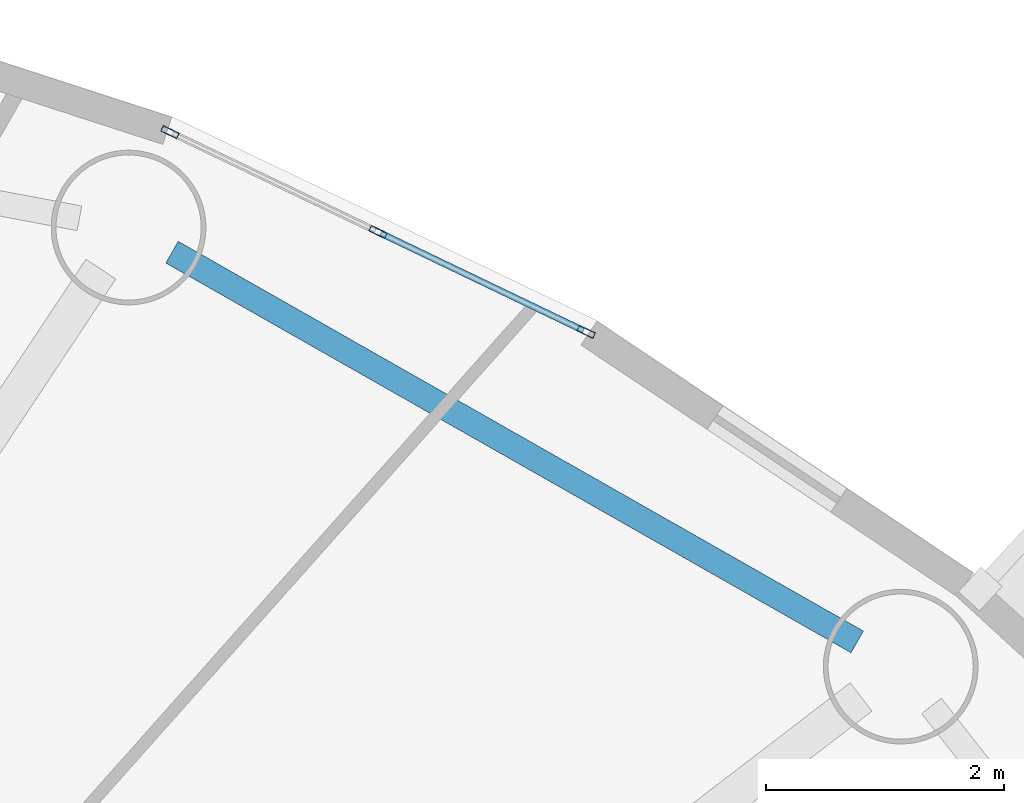
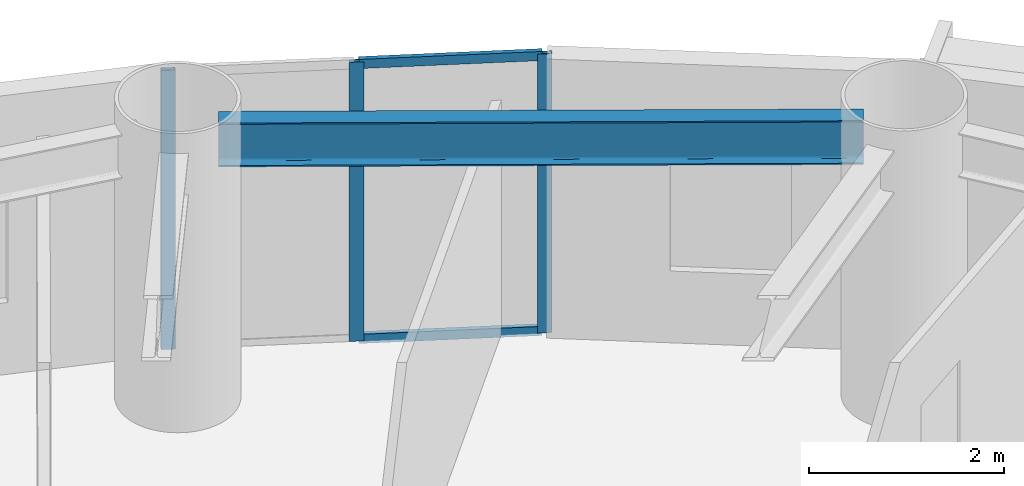
# One storey, part 5 of 17: 5 members, 1 beam, 1 element without a shape of its own.
"""IFC4 building model written with IfcOpenShell, lengths in metres."""

from ifc_helpers import new_model, si_unit, direction, frame, origin, origin_2d, place, context, subcontext, project, spatial, hollow_rectangle, i_section, extrude, source, transform, mapped, material, layer, layer_set, material_profile, profile_set, type_object, element, aggregate, save


model = new_model("IFC4")

# Units and contexts
model_context = context("Model", 3, precision=1e-05, world=origin(), true_north=direction((0.0, 1.0)))
body_context = subcontext(model_context, "Body", "Model", "MODEL_VIEW")
ifc_project = project(units=[si_unit("LENGTHUNIT", "METRE"), si_unit("AREAUNIT", "SQUARE_METRE"), si_unit("VOLUMEUNIT", "CUBIC_METRE"), si_unit("PLANEANGLEUNIT", "RADIAN"), si_unit("MASSUNIT", "GRAM", prefix="KILO")], contexts=[model_context])

# Site, building, storey
site_placement = place(None, origin())
site = spatial("IfcSite", under=ifc_project, at=site_placement, CompositionType="ELEMENT")
building_placement = place(site_placement, origin())
building = spatial("IfcBuilding", under=site, at=building_placement, Name="Linh Dai School and Residence Tower", CompositionType="ELEMENT")
storey_placement = place(building_placement, frame((0.0, 0.0, 197.39990234375)))
storey = spatial("IfcBuildingStorey", under=building, at=storey_placement, Name="L48", CompositionType="ELEMENT", Elevation=197.39990234375)

# Beam
ifc_material_1 = material(Name="Structural Steel S355JR", Category="steel")
ifc_material_profile_1 = material_profile(ifc_material_1, i_section(OverallWidth=0.2099609375, OverallDepth=0.550048828125, WebThickness=0.010986328125, FlangeThickness=0.01708984375, FilletRadius=0.02392578125, at=origin_2d()), Name="IPE 550")
ifc_profile_set_1 = profile_set([ifc_material_profile_1], Name="Structural Steel S355JR")
beam_type = type_object("IfcBeamType", Name="BM-RB55", PredefinedType="BEAM", material=ifc_profile_set_1)
beam_placement = place(storey_placement, frame((53.827392578125, 41.1494140625, 3.22509765625), z_axis=(-0.869262164011, 0.49435138335, 0.0), x_axis=(-0.49435138335, -0.869262164011, 0.0)))
element("IfcBeam", 1, at=beam_placement, inside=storey, type_object=beam_type, Name="L48 Perimeter Elliptical Ring Beam 03", PredefinedType="BEAM", context=body_context, shape_type="SweptSolid", body=[
    extrude(i_section(OverallWidth=0.2099609375, OverallDepth=0.550048828125, WebThickness=0.010986328125, FlangeThickness=0.01708984375, FilletRadius=0.02392578125, at=origin_2d()), origin(), (0.0, 0.0, 1.0), 6.62255859375),
])

# Curtain wall, members
ifc_material_2 = material(Name="Aluminium Anodised Curtain Wall", Category="aluminium")
ifc_layer = layer(ifc_material_2, 0.14990234375)
ifc_layer_set = layer_set([ifc_layer], Name="Aluminium Anodised Curtain Wall")
curtain_wall_type = type_object("IfcCurtainWallType", Name="CW-SYS-4", PredefinedType="USERDEFINED", material=ifc_layer_set)
curtain_wall_placement = place(storey_placement, origin())
curtain_wall = element("IfcCurtainWall", 2, at=curtain_wall_placement, inside=storey, type_object=curtain_wall_type, Name="L48 CW4 Curtain Wall 07", ObjectType="RIBBON CURTAIN WALL", PredefinedType="USERDEFINED")
ifc_material_3 = material(Name="Aluminium Alloy 6063-T6", Category="aluminium")
ifc_material_profile_2 = material_profile(ifc_material_3, hollow_rectangle(XDim=0.052001953125, YDim=0.14990234375, WallThickness=0.00390625, at=origin_2d()), Name="RHS 150x52x4")
ifc_profile_set_2 = profile_set([ifc_material_profile_2], Name="Aluminium Alloy 6063-T6")
member_type_1 = type_object("IfcMemberType", Name="CW-SYS-4-MUL", PredefinedType="MULLION", material=ifc_profile_set_2)
shared_shape_1 = source(origin(), body_context, "Body", "SweptSolid", [
    extrude(hollow_rectangle(XDim=0.052001953125, YDim=0.14990234375, WallThickness=0.00390625, at=origin_2d()), origin(), (0.0, 0.0, 1.0), 3.5),
])
member_1_placement = place(storey_placement, frame((48.05322265625, 45.432373046875, 0.0), z_axis=(0.0, 0.0, 1.0), x_axis=(0.432634701653, 0.901569306779, 0.0)))
member_1 = element("IfcMember", 3, at=member_1_placement, type_object=member_type_1, Name="CW4 mullion 1", PredefinedType="MULLION", context=body_context, shape_type="MappedRepresentation", body=[
    mapped(shared_shape_1, transform((0.0, 0.0, 0.0), x_axis=(1.0, 0.0, 0.0), y_axis=(0.0, 1.0, 0.0), z_axis=(0.0, 0.0, 1.0), scale=1.0)),
])
member_2_placement = place(storey_placement, frame((49.801513671875, 44.59326171875, 0.0), z_axis=(0.0, 0.0, 1.0), x_axis=(0.432634701653, 0.901569306779, 0.0)))
member_2 = element("IfcMember", 4, at=member_2_placement, type_object=member_type_1, Name="CW4 mullion 2", PredefinedType="MULLION", context=body_context, shape_type="MappedRepresentation", body=[
    mapped(shared_shape_1, transform((0.0, 0.0, 0.0), x_axis=(1.0, 0.0, 0.0), y_axis=(0.0, 1.0, 0.0), z_axis=(0.0, 0.0, 1.0), scale=1.0)),
])
member_3_placement = place(storey_placement, frame((51.5498046875, 43.75439453125, 0.0), z_axis=(0.0, 0.0, 1.0), x_axis=(0.432634701653, 0.901569306779, 0.0)))
member_3 = element("IfcMember", 5, at=member_3_placement, type_object=member_type_1, Name="CW4 mullion 3", PredefinedType="MULLION", context=body_context, shape_type="MappedRepresentation", body=[
    mapped(shared_shape_1, transform((0.0, 0.0, 0.0), x_axis=(1.0, 0.0, 0.0), y_axis=(0.0, 1.0, 0.0), z_axis=(0.0, 0.0, 1.0), scale=1.0)),
])
ifc_material_profile_3 = material_profile(ifc_material_3, hollow_rectangle(XDim=0.052001953125, YDim=0.114990234375, WallThickness=0.00390625, at=origin_2d()), Name="RHS 115x52x4")
ifc_profile_set_3 = profile_set([ifc_material_profile_3], Name="Aluminium Alloy 6063-T6")
member_type_2 = type_object("IfcMemberType", Name="CW-SYS-4-TRN", PredefinedType="USERDEFINED", material=ifc_profile_set_3)
shared_shape_2 = source(origin(), body_context, "Body", "SweptSolid", [
    extrude(hollow_rectangle(XDim=0.052001953125, YDim=0.114990234375, WallThickness=0.00390625, at=origin_2d()), origin(), (0.0, 0.0, 1.0), 1.88720703125),
])
member_4_placement = place(storey_placement, frame((49.824951171875, 44.58203125, 0.026123046875), z_axis=(0.901579575553, -0.432613301858, 0.0), x_axis=(0.432613301858, 0.901579575553, 0.0)))
member_4 = element("IfcMember", 6, at=member_4_placement, type_object=member_type_2, Name="CW4 transom 2.1", ObjectType="TRANSOM", PredefinedType="USERDEFINED", context=body_context, shape_type="MappedRepresentation", body=[
    mapped(shared_shape_2, transform((0.0, 0.0, 0.0), x_axis=(1.0, 0.0, 0.0), y_axis=(0.0, 1.0, 0.0), z_axis=(0.0, 0.0, 1.0), scale=1.0)),
])
member_5_placement = place(storey_placement, frame((49.824951171875, 44.58203125, 3.47412109375), z_axis=(0.901579575553, -0.432613301858, 0.0), x_axis=(0.432613301858, 0.901579575553, 0.0)))
member_5 = element("IfcMember", 7, at=member_5_placement, type_object=member_type_2, Name="CW4 transom 2.2", ObjectType="TRANSOM", PredefinedType="USERDEFINED", context=body_context, shape_type="MappedRepresentation", body=[
    mapped(shared_shape_2, transform((0.0, 0.0, 0.0), x_axis=(1.0, 0.0, 0.0), y_axis=(0.0, 1.0, 0.0), z_axis=(0.0, 0.0, 1.0), scale=1.0)),
])
aggregate(curtain_wall, [member_1, member_2, member_3, member_4, member_5])

save(model, "model.ifc")
